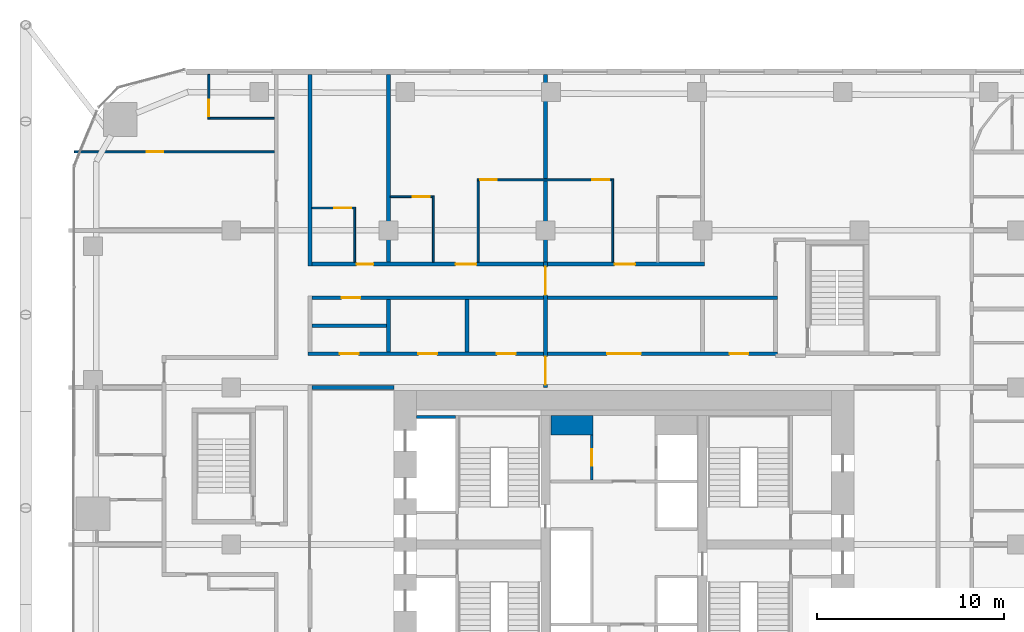
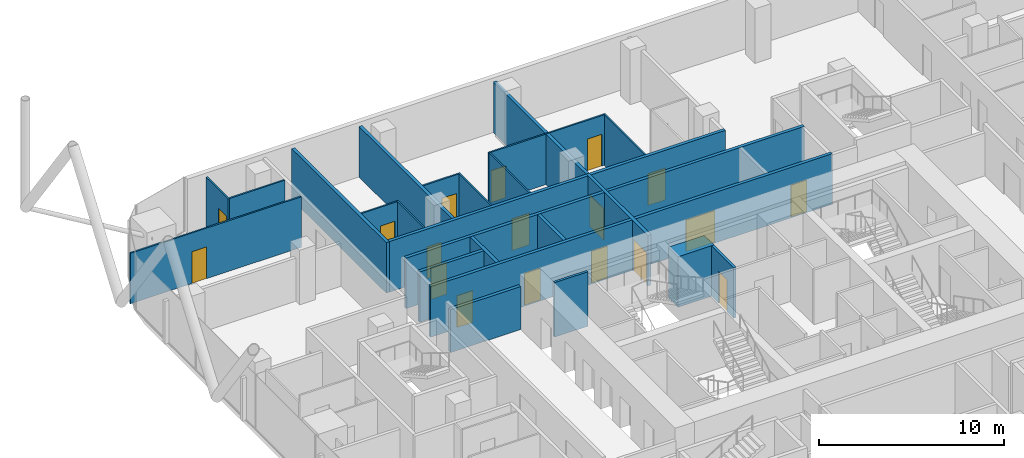
# One storey, part 29 of 34: 24 walls, 18 doors, 18 openings.
"""IFC4 building model written with IfcOpenShell, lengths in metres."""

from ifc_helpers import new_model, si_unit, direction, frame, frame_2d, origin, place, context, subcontext, project, spatial, rectangle, extrude, material, layer, layer_set, type_object, element, fill, save


model = new_model("IFC4")

# Units and contexts
model_context = context("Model", 3, precision=1e-05, world=origin(), true_north=direction((0.0, 1.0)))
body_context = subcontext(model_context, "Body", "Model", "MODEL_VIEW")
ifc_project = project(units=[si_unit("LENGTHUNIT", "METRE"), si_unit("AREAUNIT", "SQUARE_METRE"), si_unit("VOLUMEUNIT", "CUBIC_METRE"), si_unit("PLANEANGLEUNIT", "RADIAN"), si_unit("MASSUNIT", "GRAM", prefix="KILO")], contexts=[model_context])

# Site, building, storey
site_placement = place(None, origin())
site = spatial("IfcSite", under=ifc_project, at=site_placement, CompositionType="ELEMENT")
building_placement = place(site_placement, origin())
building = spatial("IfcBuilding", under=site, at=building_placement, Name="Marenta Gate Hotel Tower", CompositionType="ELEMENT")
storey_placement = place(building_placement, frame((0.0, 0.0, 47.300048828125)))
storey = spatial("IfcBuildingStorey", under=building, at=storey_placement, Name="L09", CompositionType="ELEMENT", Elevation=47.300048828125)

# Wall, openings, doors
ifc_material_1 = material(Name="Concrete blockwork", Category="masonry")
ifc_layer_1 = layer(ifc_material_1, 0.199951171875)
ifc_layer_set_1 = layer_set([ifc_layer_1], Name="Concrete blockwork")
wall_type_1 = type_object("IfcWallType", Name="Compartment wall 200 REI 180", PredefinedType="PARTITIONING", material=ifc_layer_set_1)
wall_1_placement = place(storey_placement, frame((-4.199951171875, 16.800048828125, 0.0), z_axis=(0.0, 0.0, 1.0), x_axis=(0.0, 1.0, 0.0)))
wall_1 = element("IfcWall", 1, at=wall_1_placement, inside=storey, type_object=wall_type_1, Name="L09-PTN-W069", PredefinedType="PARTITIONING", context=body_context, shape_type="SweptSolid", body=[
    extrude(rectangle(XDim=6.699951171875, YDim=0.199951171875, at=frame_2d((3.35009765625, 0.0))), origin(), (0.0, 0.0, 1.0), 3.33984375),
])
opening_1_placement = place(wall_1_placement, frame((0.14990234375, 0.0, 0.0)))
opening_1 = element("IfcOpeningElement", 2, at=opening_1_placement, cuts=wall_1, Name="Opening G03-FD1", PredefinedType="OPENING", context=body_context, shape_type="SweptSolid", body=[
    extrude(rectangle(XDim=1.5, YDim=2.10009765625, at=frame_2d((0.75, 1.050048828125))), frame((0.0, 0.10009765625, 0.0), z_axis=(0.0, -1.0, 0.0), x_axis=(1.0, 0.0, 0.0)), (0.0, 0.0, 1.0), 0.199951171875),
])
opening_2_placement = place(wall_1_placement, frame((4.949951171875, 0.0, 0.0)))
opening_2 = element("IfcOpeningElement", 3, at=opening_2_placement, cuts=wall_1, Name="Opening G03-FD2", PredefinedType="OPENING", context=body_context, shape_type="SweptSolid", body=[
    extrude(rectangle(XDim=1.5, YDim=2.10009765625, at=frame_2d((0.75, 1.050048828125))), frame((0.0, 0.10009765625, 0.0), z_axis=(0.0, -1.0, 0.0), x_axis=(1.0, 0.0, 0.0)), (0.0, 0.0, 1.0), 0.199951171875),
])
ifc_material_2 = material(Name="Hollow steel door set", Category="steel")
door_type_1 = type_object("IfcDoorType", Name="Compartment fire door 1500x2100 EI 60", OperationType="DOUBLE_DOOR_DOUBLE_SWING", PredefinedType="DOOR", material=ifc_material_2)
door_1_placement = place(opening_1_placement, origin())
door_1 = element("IfcDoor", 4, at=door_1_placement, inside=storey, type_object=door_type_1, Name="L09-PD-FD01", OperationType="DOUBLE_DOOR_DOUBLE_SWING", OverallHeight=2.10009765625, OverallWidth=1.5, PredefinedType="DOOR", context=body_context, shape_type="SweptSolid", body=[
    extrude(rectangle(XDim=1.5, YDim=2.10009765625, at=frame_2d((0.75, 1.050048828125))), frame((0.0, 0.02490234375, 0.0), z_axis=(0.0, -1.0, 0.0), x_axis=(1.0, 0.0, 0.0)), (0.0, 0.0, 1.0), 0.050048828125),
])
fill(opening_1, door_1)
door_2_placement = place(opening_2_placement, origin())
door_2 = element("IfcDoor", 5, at=door_2_placement, inside=storey, type_object=door_type_1, Name="L09-PD-FD02", OperationType="DOUBLE_DOOR_DOUBLE_SWING", OverallHeight=2.10009765625, OverallWidth=1.5, PredefinedType="DOOR", context=body_context, shape_type="SweptSolid", body=[
    extrude(rectangle(XDim=1.5, YDim=2.10009765625, at=frame_2d((0.75, 1.050048828125))), frame((0.0, 0.02490234375, 0.0), z_axis=(0.0, -1.0, 0.0), x_axis=(1.0, 0.0, 0.0)), (0.0, 0.0, 1.0), 0.050048828125),
])
fill(opening_2, door_2)

# Walls
wall_2_placement = place(storey_placement, frame((-4.199951171875, 23.5, 0.0), z_axis=(0.0, 0.0, 1.0), x_axis=(0.0, 1.0, 0.0)))
element("IfcWall", 6, at=wall_2_placement, inside=storey, type_object=wall_type_1, Name="L09-PTN-W070", PredefinedType="PARTITIONING", context=body_context, shape_type="SweptSolid", body=[
    extrude(rectangle(XDim=10.0400390625, YDim=0.199951171875, at=frame_2d((5.02001953125, 0.0))), origin(), (0.0, 0.0, 1.0), 3.33984375),
])
ifc_material_3 = material(Name="Concrete blockwork", Category="masonry")
ifc_layer_2 = layer(ifc_material_3, 0.199951171875)
ifc_layer_set_2 = layer_set([ifc_layer_2], Name="Concrete blockwork")
wall_type_2 = type_object("IfcWallType", Name="Core boundary wall 200 REI 180", PredefinedType="PARTITIONING", material=ifc_layer_set_2)
wall_3_placement = place(storey_placement, frame((-16.699951171875, 16.800048828125, 0.0), z_axis=(0.0, 0.0, 1.0), x_axis=(1.0, 0.0, 0.0)))
element("IfcWall", 7, at=wall_3_placement, inside=storey, type_object=wall_type_2, Name="L09-CP-EW-WN", PredefinedType="PARTITIONING", context=body_context, shape_type="SweptSolid", body=[
    extrude(rectangle(XDim=4.39990234375, YDim=0.199951171875, at=frame_2d((2.199951171875, 0.0))), origin(), (0.0, 0.0, 1.0), 2.83984375),
])
ifc_material_4 = material(Name="Concrete blockwork", Category="masonry")
ifc_layer_3 = layer(ifc_material_4, 1.050048828125)
ifc_layer_set_3 = layer_set([ifc_layer_3], Name="Concrete blockwork")
wall_type_3 = type_object("IfcWallType", Name="Core room partition 1050 REI 180", PredefinedType="PARTITIONING", material=ifc_layer_set_3)
wall_4_placement = place(storey_placement, frame((-3.89990234375, 14.77490234375, 0.0), z_axis=(0.0, 0.0, 1.0), x_axis=(1.0, 0.0, 0.0)))
element("IfcWall", 8, at=wall_4_placement, inside=storey, type_object=wall_type_3, Name="L09-CP-CW-W-riser-N", PredefinedType="PARTITIONING", context=body_context, shape_type="SweptSolid", body=[
    extrude(rectangle(XDim=2.25, YDim=1.050048828125, at=frame_2d((1.125, 0.0))), origin(), (0.0, 0.0, 1.0), 3.33984375),
])

# Wall, opening, door
ifc_material_5 = material(Name="Concrete blockwork", Category="masonry")
ifc_layer_4 = layer(ifc_material_5, 0.14990234375)
ifc_layer_set_4 = layer_set([ifc_layer_4], Name="Concrete blockwork")
wall_type_4 = type_object("IfcWallType", Name="Core room partition 150 REI 180", PredefinedType="PARTITIONING", material=ifc_layer_set_4)
wall_5_placement = place(storey_placement, frame((-1.72509765625, 11.85009765625, 0.0), z_axis=(0.0, 0.0, 1.0), x_axis=(0.0, 1.0, 0.0)))
wall_5 = element("IfcWall", 9, at=wall_5_placement, inside=storey, type_object=wall_type_4, Name="L09-CP-CW-W-riser-front", PredefinedType="PARTITIONING", context=body_context, shape_type="SweptSolid", body=[
    extrude(rectangle(XDim=2.39990234375, YDim=0.14990234375, at=frame_2d((1.199951171875, 0.0))), origin(), (0.0, 0.0, 1.0), 3.33984375),
])
opening_3_placement = place(wall_5_placement, frame((0.75, 0.0, 0.0)))
opening_3 = element("IfcOpeningElement", 10, at=opening_3_placement, cuts=wall_5, Name="Opening RD-CRISER", PredefinedType="OPENING", context=body_context, shape_type="SweptSolid", body=[
    extrude(rectangle(XDim=0.89990234375, YDim=2.10009765625, at=frame_2d((0.449951171875, 1.050048828125))), frame((0.0, 0.074951171875, 0.0), z_axis=(0.0, -1.0, 0.0), x_axis=(1.0, 0.0, 0.0)), (0.0, 0.0, 1.0), 0.14990234375),
])
ifc_material_6 = material(Name="Steel", Category="steel")
door_type_2 = type_object("IfcDoorType", Name="Core riser door 900x2100 FD60", OperationType="SINGLE_SWING_LEFT", PredefinedType="DOOR", material=ifc_material_6)
door_3_placement = place(opening_3_placement, origin())
door_3 = element("IfcDoor", 11, at=door_3_placement, inside=storey, type_object=door_type_2, Name="RD-CRISER", OperationType="SINGLE_SWING_LEFT", OverallHeight=2.10009765625, OverallWidth=0.89990234375, PredefinedType="DOOR", context=body_context, shape_type="SweptSolid", body=[
    extrude(rectangle(XDim=0.89990234375, YDim=2.10009765625, at=frame_2d((0.449951171875, 1.050048828125))), frame((0.0, 0.02490234375, 0.0), z_axis=(0.0, -1.0, 0.0), x_axis=(1.0, 0.0, 0.0)), (0.0, 0.0, 1.0), 0.050048828125),
])
fill(opening_3, door_3)

# Walls
ifc_material_7 = material(Name="Concrete C40", Category="concrete")
ifc_layer_5 = layer(ifc_material_7, 0.14990234375)
ifc_layer_set_5 = layer_set([ifc_layer_5], Name="Concrete C40")
wall_type_5 = type_object("IfcWallType", Name="Core shaft wall 150 REI 180", PredefinedType="SHEAR", material=ifc_layer_set_5)
wall_6_placement = place(storey_placement, frame((-11.10009765625, 15.22509765625, 0.0), z_axis=(0.0, 0.0, 1.0), x_axis=(1.0, 0.0, 0.0)))
element("IfcWall", 12, at=wall_6_placement, inside=storey, type_object=wall_type_5, Name="L09-SHF-SW-WN-5", PredefinedType="SHEAR", context=body_context, shape_type="SweptSolid", body=[
    extrude(rectangle(XDim=2.10009765625, YDim=0.14990234375, at=frame_2d((1.050048828125, 0.0))), origin(), (0.0, 0.0, 1.0), 3.599853515625),
])
ifc_material_8 = material(Name="Gypsum board on steel stud", Category="steel")
ifc_layer_6 = layer(ifc_material_8, 0.199951171875)
ifc_layer_set_6 = layer_set([ifc_layer_6], Name="Gypsum board on steel stud")
wall_type_6 = type_object("IfcWallType", Name="Room corridor wall 200 EI 60", PredefinedType="PARTITIONING", material=ifc_layer_set_6)
wall_7_placement = place(storey_placement, frame((-16.800048828125, 23.300048828125, 0.0), z_axis=(0.0, 0.0, 1.0), x_axis=(0.0, 1.0, 0.0)))
element("IfcWall", 13, at=wall_7_placement, inside=storey, type_object=wall_type_6, Name="L09-PTN-W102", PredefinedType="PARTITIONING", context=body_context, shape_type="SweptSolid", body=[
    extrude(rectangle(XDim=10.239990234375, YDim=0.199951171875, at=frame_2d((5.1201171875, 0.0))), origin(), (0.0, 0.0, 1.0), 3.33984375),
])

# Wall, openings, doors
wall_8_placement = place(storey_placement, frame((-16.89990234375, 18.60009765625, 0.0), z_axis=(0.0, 0.0, 1.0), x_axis=(1.0, 0.0, 0.0)))
wall_8 = element("IfcWall", 14, at=wall_8_placement, inside=storey, type_object=wall_type_6, Name="L09-PTN-W110", PredefinedType="PARTITIONING", context=body_context, shape_type="SweptSolid", body=[
    extrude(rectangle(XDim=25.099853515625, YDim=0.199951171875, at=frame_2d((12.5498046875, 0.0))), origin(), (0.0, 0.0, 1.0), 3.33984375),
])
opening_4_placement = place(wall_8_placement, frame((16.0, 0.0, 0.0)))
opening_4 = element("IfcOpeningElement", 15, at=opening_4_placement, cuts=wall_8, Name="Opening G03-01", PredefinedType="OPENING", context=body_context, shape_type="SweptSolid", body=[
    extrude(rectangle(XDim=1.800048828125, YDim=2.10009765625, at=frame_2d((0.89990234375, 1.050048828125))), frame((0.0, 0.10009765625, 0.0), z_axis=(0.0, -1.0, 0.0), x_axis=(1.0, 0.0, 0.0)), (0.0, 0.0, 1.0), 0.199951171875),
])
opening_5_placement = place(wall_8_placement, frame((22.550048828125, 0.0, 0.0)))
opening_5 = element("IfcOpeningElement", 16, at=opening_5_placement, cuts=wall_8, Name="Opening G03-02", PredefinedType="OPENING", context=body_context, shape_type="SweptSolid", body=[
    extrude(rectangle(XDim=1.0, YDim=2.10009765625, at=frame_2d((0.5, 1.050048828125))), frame((0.0, 0.10009765625, 0.0), z_axis=(0.0, -1.0, 0.0), x_axis=(1.0, 0.0, 0.0)), (0.0, 0.0, 1.0), 0.199951171875),
])
opening_6_placement = place(wall_8_placement, frame((5.89990234375, 0.0, 0.0)))
opening_6 = element("IfcOpeningElement", 17, at=opening_6_placement, cuts=wall_8, Name="Opening G03-64", PredefinedType="OPENING", context=body_context, shape_type="SweptSolid", body=[
    extrude(rectangle(XDim=1.0, YDim=2.10009765625, at=frame_2d((0.5, 1.050048828125))), frame((0.0, 0.10009765625, 0.0), z_axis=(0.0, -1.0, 0.0), x_axis=(1.0, 0.0, 0.0)), (0.0, 0.0, 1.0), 0.199951171875),
])
opening_7_placement = place(wall_8_placement, frame((10.10009765625, 0.0, 0.0)))
opening_7 = element("IfcOpeningElement", 18, at=opening_7_placement, cuts=wall_8, Name="Opening G03-65", PredefinedType="OPENING", context=body_context, shape_type="SweptSolid", body=[
    extrude(rectangle(XDim=1.0, YDim=2.10009765625, at=frame_2d((0.5, 1.050048828125))), frame((0.0, 0.10009765625, 0.0), z_axis=(0.0, -1.0, 0.0), x_axis=(1.0, 0.0, 0.0)), (0.0, 0.0, 1.0), 0.199951171875),
])
opening_8_placement = place(wall_8_placement, frame((1.699951171875, 0.0, 0.0)))
opening_8 = element("IfcOpeningElement", 19, at=opening_8_placement, cuts=wall_8, Name="Opening G03-68", PredefinedType="OPENING", context=body_context, shape_type="SweptSolid", body=[
    extrude(rectangle(XDim=1.0, YDim=2.10009765625, at=frame_2d((0.5, 1.050048828125))), frame((0.0, 0.10009765625, 0.0), z_axis=(0.0, -1.0, 0.0), x_axis=(1.0, 0.0, 0.0)), (0.0, 0.0, 1.0), 0.199951171875),
])
ifc_material_9 = material(Name="Timber door leaf", Category="wood")
door_type_3 = type_object("IfcDoorType", Name="Room amenity door 1000x2100 EI 30", OperationType="NOTDEFINED", PredefinedType="DOOR", material=ifc_material_9)
door_4_placement = place(opening_5_placement, origin())
door_4 = element("IfcDoor", 20, at=door_4_placement, inside=storey, type_object=door_type_3, Name="L09-PD-D002", OperationType="SINGLE_SWING_RIGHT", OverallHeight=2.10009765625, OverallWidth=1.0, PredefinedType="DOOR", context=body_context, shape_type="SweptSolid", body=[
    extrude(rectangle(XDim=1.0, YDim=2.10009765625, at=frame_2d((0.5, 1.050048828125))), frame((0.0, 0.02490234375, 0.0), z_axis=(0.0, -1.0, 0.0), x_axis=(1.0, 0.0, 0.0)), (0.0, 0.0, 1.0), 0.050048828125),
])
fill(opening_5, door_4)
door_5_placement = place(opening_6_placement, origin())
door_5 = element("IfcDoor", 21, at=door_5_placement, inside=storey, type_object=door_type_3, Name="L09-PD-D064", OperationType="SINGLE_SWING_RIGHT", OverallHeight=2.10009765625, OverallWidth=1.0, PredefinedType="DOOR", context=body_context, shape_type="SweptSolid", body=[
    extrude(rectangle(XDim=1.0, YDim=2.10009765625, at=frame_2d((0.5, 1.050048828125))), frame((0.0, 0.02490234375, 0.0), z_axis=(0.0, -1.0, 0.0), x_axis=(1.0, 0.0, 0.0)), (0.0, 0.0, 1.0), 0.050048828125),
])
fill(opening_6, door_5)
door_6_placement = place(opening_7_placement, origin())
door_6 = element("IfcDoor", 22, at=door_6_placement, inside=storey, type_object=door_type_3, Name="L09-PD-D065", OperationType="SINGLE_SWING_LEFT", OverallHeight=2.10009765625, OverallWidth=1.0, PredefinedType="DOOR", context=body_context, shape_type="SweptSolid", body=[
    extrude(rectangle(XDim=1.0, YDim=2.10009765625, at=frame_2d((0.5, 1.050048828125))), frame((0.0, 0.02490234375, 0.0), z_axis=(0.0, -1.0, 0.0), x_axis=(1.0, 0.0, 0.0)), (0.0, 0.0, 1.0), 0.050048828125),
])
fill(opening_7, door_6)
door_7_placement = place(opening_8_placement, origin())
door_7 = element("IfcDoor", 23, at=door_7_placement, inside=storey, type_object=door_type_3, Name="L09-PD-D068", OperationType="SINGLE_SWING_RIGHT", OverallHeight=2.10009765625, OverallWidth=1.0, PredefinedType="DOOR", context=body_context, shape_type="SweptSolid", body=[
    extrude(rectangle(XDim=1.0, YDim=2.10009765625, at=frame_2d((0.5, 1.050048828125))), frame((0.0, 0.02490234375, 0.0), z_axis=(0.0, -1.0, 0.0), x_axis=(1.0, 0.0, 0.0)), (0.0, 0.0, 1.0), 0.050048828125),
])
fill(opening_8, door_7)
ifc_material_10 = material(Name="Timber door leaf", Category="wood")
door_type_4 = type_object("IfcDoorType", Name="Room amenity door 1800x2100 EI 30", OperationType="DOUBLE_DOOR_SINGLE_SWING", PredefinedType="DOOR", material=ifc_material_10)
door_8_placement = place(opening_4_placement, origin())
door_8 = element("IfcDoor", 24, at=door_8_placement, inside=storey, type_object=door_type_4, Name="L09-PD-D001", OperationType="DOUBLE_DOOR_SINGLE_SWING", OverallHeight=2.10009765625, OverallWidth=1.800048828125, PredefinedType="DOOR", context=body_context, shape_type="SweptSolid", body=[
    extrude(rectangle(XDim=1.800048828125, YDim=2.10009765625, at=frame_2d((0.89990234375, 1.050048828125))), frame((0.0, 0.02490234375, 0.0), z_axis=(0.0, -1.0, 0.0), x_axis=(1.0, 0.0, 0.0)), (0.0, 0.0, 1.0), 0.050048828125),
])
fill(opening_4, door_8)

# Wall, opening, door
wall_9_placement = place(storey_placement, frame((-16.699951171875, 21.60009765625, 0.0), z_axis=(0.0, 0.0, 1.0), x_axis=(1.0, 0.0, 0.0)))
wall_9 = element("IfcWall", 25, at=wall_9_placement, inside=storey, type_object=wall_type_6, Name="L09-PTN-W115", PredefinedType="PARTITIONING", context=body_context, shape_type="SweptSolid", body=[
    extrude(rectangle(XDim=24.89990234375, YDim=0.199951171875, at=frame_2d((12.449951171875, 0.0))), origin(), (0.0, 0.0, 1.0), 3.33984375),
])
opening_9_placement = place(wall_9_placement, frame((1.60009765625, 0.0, 0.0)))
opening_9 = element("IfcOpeningElement", 26, at=opening_9_placement, cuts=wall_9, Name="Opening G03-69", PredefinedType="OPENING", context=body_context, shape_type="SweptSolid", body=[
    extrude(rectangle(XDim=1.0, YDim=2.10009765625, at=frame_2d((0.5, 1.050048828125))), frame((0.0, 0.10009765625, 0.0), z_axis=(0.0, -1.0, 0.0), x_axis=(1.0, 0.0, 0.0)), (0.0, 0.0, 1.0), 0.199951171875),
])
door_9_placement = place(opening_9_placement, origin())
door_9 = element("IfcDoor", 27, at=door_9_placement, inside=storey, type_object=door_type_3, Name="L09-PD-D069", OperationType="SINGLE_SWING_RIGHT", OverallHeight=2.10009765625, OverallWidth=1.0, PredefinedType="DOOR", context=body_context, shape_type="SweptSolid", body=[
    extrude(rectangle(XDim=1.0, YDim=2.10009765625, at=frame_2d((0.5, 1.050048828125))), frame((0.0, 0.02490234375, 0.0), z_axis=(0.0, -1.0, 0.0), x_axis=(1.0, 0.0, 0.0)), (0.0, 0.0, 1.0), 0.050048828125),
])
fill(opening_9, door_9)

# Wall, openings, doors
wall_10_placement = place(storey_placement, frame((-16.699951171875, 23.39990234375, 0.0), z_axis=(0.0, 0.0, 1.0), x_axis=(1.0, 0.0, 0.0)))
wall_10 = element("IfcWall", 28, at=wall_10_placement, inside=storey, type_object=wall_type_6, Name="L09-PTN-W122", PredefinedType="PARTITIONING", context=body_context, shape_type="SweptSolid", body=[
    extrude(rectangle(XDim=21.0, YDim=0.199951171875, at=frame_2d((10.5, 0.0))), origin(), (0.0, 0.0, 1.0), 3.33984375),
])
opening_10_placement = place(wall_10_placement, frame((2.39990234375, 0.0, 0.0)))
opening_10 = element("IfcOpeningElement", 29, at=opening_10_placement, cuts=wall_10, Name="Opening G03-28", PredefinedType="OPENING", context=body_context, shape_type="SweptSolid", body=[
    extrude(rectangle(XDim=0.89990234375, YDim=2.10009765625, at=frame_2d((0.449951171875, 1.050048828125))), frame((0.0, 0.10009765625, 0.0), z_axis=(0.0, -1.0, 0.0), x_axis=(1.0, 0.0, 0.0)), (0.0, 0.0, 1.0), 0.199951171875),
])
opening_11_placement = place(wall_10_placement, frame((7.699951171875, 0.0, 0.0)))
opening_11 = element("IfcOpeningElement", 30, at=opening_11_placement, cuts=wall_10, Name="Opening G03-30", PredefinedType="OPENING", context=body_context, shape_type="SweptSolid", body=[
    extrude(rectangle(XDim=1.10009765625, YDim=2.10009765625, at=frame_2d((0.550048828125, 1.050048828125))), frame((0.0, 0.10009765625, 0.0), z_axis=(0.0, -1.0, 0.0), x_axis=(1.0, 0.0, 0.0)), (0.0, 0.0, 1.0), 0.199951171875),
])
opening_12_placement = place(wall_10_placement, frame((16.199951171875, 0.0, 0.0)))
opening_12 = element("IfcOpeningElement", 31, at=opening_12_placement, cuts=wall_10, Name="Opening G03-33", PredefinedType="OPENING", context=body_context, shape_type="SweptSolid", body=[
    extrude(rectangle(XDim=1.10009765625, YDim=2.10009765625, at=frame_2d((0.550048828125, 1.050048828125))), frame((0.0, 0.10009765625, 0.0), z_axis=(0.0, -1.0, 0.0), x_axis=(1.0, 0.0, 0.0)), (0.0, 0.0, 1.0), 0.199951171875),
])
ifc_material_11 = material(Name="Timber door leaf", Category="wood")
door_type_5 = type_object("IfcDoorType", Name="Guest room door 1100x2100 EI 30", OperationType="NOTDEFINED", PredefinedType="DOOR", material=ifc_material_11)
door_10_placement = place(opening_11_placement, origin())
door_10 = element("IfcDoor", 32, at=door_10_placement, inside=storey, type_object=door_type_5, Name="L09-PD-D030", OperationType="SINGLE_SWING_RIGHT", OverallHeight=2.10009765625, OverallWidth=1.10009765625, PredefinedType="DOOR", context=body_context, shape_type="SweptSolid", body=[
    extrude(rectangle(XDim=1.10009765625, YDim=2.10009765625, at=frame_2d((0.550048828125, 1.050048828125))), frame((0.0, 0.02490234375, 0.0), z_axis=(0.0, -1.0, 0.0), x_axis=(1.0, 0.0, 0.0)), (0.0, 0.0, 1.0), 0.050048828125),
])
fill(opening_11, door_10)
door_11_placement = place(opening_12_placement, origin())
door_11 = element("IfcDoor", 33, at=door_11_placement, inside=storey, type_object=door_type_5, Name="L09-PD-D033", OperationType="SINGLE_SWING_LEFT", OverallHeight=2.10009765625, OverallWidth=1.10009765625, PredefinedType="DOOR", context=body_context, shape_type="SweptSolid", body=[
    extrude(rectangle(XDim=1.10009765625, YDim=2.10009765625, at=frame_2d((0.550048828125, 1.050048828125))), frame((0.0, 0.02490234375, 0.0), z_axis=(0.0, -1.0, 0.0), x_axis=(1.0, 0.0, 0.0)), (0.0, 0.0, 1.0), 0.050048828125),
])
fill(opening_12, door_11)
ifc_material_12 = material(Name="Timber door leaf", Category="wood")
door_type_6 = type_object("IfcDoorType", Name="Guest room door 900x2100 EI 30", OperationType="NOTDEFINED", PredefinedType="DOOR", material=ifc_material_12)
door_12_placement = place(opening_10_placement, origin())
door_12 = element("IfcDoor", 34, at=door_12_placement, inside=storey, type_object=door_type_6, Name="L09-PD-D028", OperationType="SINGLE_SWING_LEFT", OverallHeight=2.10009765625, OverallWidth=0.89990234375, PredefinedType="DOOR", context=body_context, shape_type="SweptSolid", body=[
    extrude(rectangle(XDim=0.89990234375, YDim=2.10009765625, at=frame_2d((0.449951171875, 1.050048828125))), frame((0.0, 0.02490234375, 0.0), z_axis=(0.0, -1.0, 0.0), x_axis=(1.0, 0.0, 0.0)), (0.0, 0.0, 1.0), 0.050048828125),
])
fill(opening_10, door_12)

# Walls
ifc_material_13 = material(Name="Gypsum board on steel stud", Category="steel")
ifc_layer_7 = layer(ifc_material_13, 0.10009765625)
ifc_layer_set_7 = layer_set([ifc_layer_7], Name="Gypsum board on steel stud")
wall_type_7 = type_object("IfcWallType", Name="Room partition 100", PredefinedType="PARTITIONING", material=ifc_layer_set_7)
wall_11_placement = place(storey_placement, frame((-0.60009765625, 23.5, 0.0), z_axis=(0.0, 0.0, 1.0), x_axis=(0.0, 1.0, 0.0)))
element("IfcWall", 35, at=wall_11_placement, inside=storey, type_object=wall_type_7, Name="L09-PTN-W063", PredefinedType="PARTITIONING", context=body_context, shape_type="SweptSolid", body=[
    extrude(rectangle(XDim=4.449951171875, YDim=0.10009765625, at=frame_2d((2.22509765625, 0.0))), origin(), (0.0, 0.0, 1.0), 3.33984375),
])
wall_12_placement = place(storey_placement, frame((-7.800048828125, 23.5, 0.0), z_axis=(0.0, 0.0, 1.0), x_axis=(0.0, 1.0, 0.0)))
element("IfcWall", 36, at=wall_12_placement, inside=storey, type_object=wall_type_7, Name="L09-PTN-W077", PredefinedType="PARTITIONING", context=body_context, shape_type="SweptSolid", body=[
    extrude(rectangle(XDim=4.35009765625, YDim=0.10009765625, at=frame_2d((2.175048828125, 0.0))), origin(), (0.0, 0.0, 1.0), 3.33984375),
])
wall_13_placement = place(storey_placement, frame((-10.199951171875, 23.5, 0.0), z_axis=(0.0, 0.0, 1.0), x_axis=(0.0, 1.0, 0.0)))
element("IfcWall", 37, at=wall_13_placement, inside=storey, type_object=wall_type_7, Name="L09-PTN-W083", PredefinedType="PARTITIONING", context=body_context, shape_type="SweptSolid", body=[
    extrude(rectangle(XDim=3.550048828125, YDim=0.10009765625, at=frame_2d((1.77490234375, 0.0))), origin(), (0.0, 0.0, 1.0), 3.33984375),
])
wall_14_placement = place(storey_placement, frame((-14.39990234375, 23.5, 0.0), z_axis=(0.0, 0.0, 1.0), x_axis=(0.0, 1.0, 0.0)))
element("IfcWall", 38, at=wall_14_placement, inside=storey, type_object=wall_type_7, Name="L09-PTN-W094", PredefinedType="PARTITIONING", context=body_context, shape_type="SweptSolid", body=[
    extrude(rectangle(XDim=2.949951171875, YDim=0.10009765625, at=frame_2d((1.47509765625, 0.0))), origin(), (0.0, 0.0, 1.0), 3.33984375),
])

# Wall, opening, door
wall_15_placement = place(storey_placement, frame((-22.199951171875, 31.14990234375, 0.0), z_axis=(0.0, 0.0, 1.0), x_axis=(0.0, 1.0, 0.0)))
wall_15 = element("IfcWall", 39, at=wall_15_placement, inside=storey, type_object=wall_type_7, Name="L09-PTN-W119", PredefinedType="PARTITIONING", context=body_context, shape_type="SweptSolid", body=[
    extrude(rectangle(XDim=2.39013671875, YDim=0.10009765625, at=frame_2d((1.195068359375, 0.0))), origin(), (0.0, 0.0, 1.0), 3.33984375),
])
opening_13_placement = place(wall_15_placement, frame((0.14990234375, 0.0, 0.0)))
opening_13 = element("IfcOpeningElement", 40, at=opening_13_placement, cuts=wall_15, Name="Opening G03-57", PredefinedType="OPENING", context=body_context, shape_type="SweptSolid", body=[
    extrude(rectangle(XDim=0.89990234375, YDim=2.10009765625, at=frame_2d((0.449951171875, 1.050048828125))), frame((0.0, 0.050048828125, 0.0), z_axis=(0.0, -1.0, 0.0), x_axis=(1.0, 0.0, 0.0)), (0.0, 0.0, 1.0), 0.10009765625),
])
ifc_material_14 = material(Name="Timber door leaf", Category="wood")
door_type_7 = type_object("IfcDoorType", Name="Guest bathroom door 900x2100", OperationType="NOTDEFINED", PredefinedType="DOOR", material=ifc_material_14)
door_13_placement = place(opening_13_placement, origin())
door_13 = element("IfcDoor", 41, at=door_13_placement, inside=storey, type_object=door_type_7, Name="L09-PD-D057", OperationType="SINGLE_SWING_RIGHT", OverallHeight=2.10009765625, OverallWidth=0.89990234375, PredefinedType="DOOR", context=body_context, shape_type="SweptSolid", body=[
    extrude(rectangle(XDim=0.89990234375, YDim=2.10009765625, at=frame_2d((0.449951171875, 1.050048828125))), frame((0.0, 0.02490234375, 0.0), z_axis=(0.0, -1.0, 0.0), x_axis=(1.0, 0.0, 0.0)), (0.0, 0.0, 1.0), 0.050048828125),
])
fill(opening_13, door_13)

wall_16_placement = place(storey_placement, frame((-16.699951171875, 26.39990234375, 0.0), z_axis=(0.0, 0.0, 1.0), x_axis=(1.0, 0.0, 0.0)))
wall_16 = element("IfcWall", 42, at=wall_16_placement, inside=storey, type_object=wall_type_7, Name="L09-PTN-W127", PredefinedType="PARTITIONING", context=body_context, shape_type="SweptSolid", body=[
    extrude(rectangle(XDim=2.25, YDim=0.10009765625, at=frame_2d((1.125, 0.0))), origin(), (0.0, 0.0, 1.0), 3.33984375),
])
opening_14_placement = place(wall_16_placement, frame((1.199951171875, 0.0, 0.0)))
opening_14 = element("IfcOpeningElement", 43, at=opening_14_placement, cuts=wall_16, Name="Opening G03-29", PredefinedType="OPENING", context=body_context, shape_type="SweptSolid", body=[
    extrude(rectangle(XDim=0.89990234375, YDim=2.10009765625, at=frame_2d((0.449951171875, 1.050048828125))), frame((0.0, 0.050048828125, 0.0), z_axis=(0.0, -1.0, 0.0), x_axis=(1.0, 0.0, 0.0)), (0.0, 0.0, 1.0), 0.10009765625),
])
door_14_placement = place(opening_14_placement, origin())
door_14 = element("IfcDoor", 44, at=door_14_placement, inside=storey, type_object=door_type_7, Name="L09-PD-D029", OperationType="SINGLE_SWING_LEFT", OverallHeight=2.10009765625, OverallWidth=0.89990234375, PredefinedType="DOOR", context=body_context, shape_type="SweptSolid", body=[
    extrude(rectangle(XDim=0.89990234375, YDim=2.10009765625, at=frame_2d((0.449951171875, 1.050048828125))), frame((0.0, 0.02490234375, 0.0), z_axis=(0.0, -1.0, 0.0), x_axis=(1.0, 0.0, 0.0)), (0.0, 0.0, 1.0), 0.050048828125),
])
fill(opening_14, door_14)

wall_17_placement = place(storey_placement, frame((-12.5, 27.0, 0.0), z_axis=(0.0, 0.0, 1.0), x_axis=(1.0, 0.0, 0.0)))
wall_17 = element("IfcWall", 45, at=wall_17_placement, inside=storey, type_object=wall_type_7, Name="L09-PTN-W128", PredefinedType="PARTITIONING", context=body_context, shape_type="SweptSolid", body=[
    extrude(rectangle(XDim=2.25, YDim=0.10009765625, at=frame_2d((1.125, 0.0))), origin(), (0.0, 0.0, 1.0), 3.33984375),
])
opening_15_placement = place(wall_17_placement, frame((1.199951171875, 0.0, 0.0)))
opening_15 = element("IfcOpeningElement", 46, at=opening_15_placement, cuts=wall_17, Name="Opening G03-32", PredefinedType="OPENING", context=body_context, shape_type="SweptSolid", body=[
    extrude(rectangle(XDim=0.89990234375, YDim=2.10009765625, at=frame_2d((0.449951171875, 1.050048828125))), frame((0.0, 0.050048828125, 0.0), z_axis=(0.0, -1.0, 0.0), x_axis=(1.0, 0.0, 0.0)), (0.0, 0.0, 1.0), 0.10009765625),
])
ifc_material_15 = material(Name="Timber door leaf", Category="wood")
door_type_8 = type_object("IfcDoorType", Name="Room inner door 900x2100", OperationType="NOTDEFINED", PredefinedType="DOOR", material=ifc_material_15)
door_15_placement = place(opening_15_placement, origin())
door_15 = element("IfcDoor", 47, at=door_15_placement, inside=storey, type_object=door_type_8, Name="L09-PD-D032", OperationType="SINGLE_SWING_LEFT", OverallHeight=2.10009765625, OverallWidth=0.89990234375, PredefinedType="DOOR", context=body_context, shape_type="SweptSolid", body=[
    extrude(rectangle(XDim=0.89990234375, YDim=2.10009765625, at=frame_2d((0.449951171875, 1.050048828125))), frame((0.0, 0.02490234375, 0.0), z_axis=(0.0, -1.0, 0.0), x_axis=(1.0, 0.0, 0.0)), (0.0, 0.0, 1.0), 0.050048828125),
])
fill(opening_15, door_15)

# Wall, openings, doors
wall_18_placement = place(storey_placement, frame((-7.85009765625, 27.89990234375, 0.0), z_axis=(0.0, 0.0, 1.0), x_axis=(1.0, 0.0, 0.0)))
wall_18 = element("IfcWall", 48, at=wall_18_placement, inside=storey, type_object=wall_type_7, Name="L09-PTN-W131", PredefinedType="PARTITIONING", context=body_context, shape_type="SweptSolid", body=[
    extrude(rectangle(XDim=7.2001953125, YDim=0.10009765625, at=frame_2d((3.60009765625, 0.0))), origin(), (0.0, 0.0, 1.0), 3.33984375),
])
opening_16_placement = place(wall_18_placement, frame((0.14990234375, 0.0, 0.0)))
opening_16 = element("IfcOpeningElement", 49, at=opening_16_placement, cuts=wall_18, Name="Opening G03-31", PredefinedType="OPENING", context=body_context, shape_type="SweptSolid", body=[
    extrude(rectangle(XDim=0.89990234375, YDim=2.10009765625, at=frame_2d((0.449951171875, 1.050048828125))), frame((0.0, 0.050048828125, 0.0), z_axis=(0.0, -1.0, 0.0), x_axis=(1.0, 0.0, 0.0)), (0.0, 0.0, 1.0), 0.10009765625),
])
opening_17_placement = place(wall_18_placement, frame((6.14990234375, 0.0, 0.0)))
opening_17 = element("IfcOpeningElement", 50, at=opening_17_placement, cuts=wall_18, Name="Opening G03-34", PredefinedType="OPENING", context=body_context, shape_type="SweptSolid", body=[
    extrude(rectangle(XDim=0.89990234375, YDim=2.10009765625, at=frame_2d((0.449951171875, 1.050048828125))), frame((0.0, 0.050048828125, 0.0), z_axis=(0.0, -1.0, 0.0), x_axis=(1.0, 0.0, 0.0)), (0.0, 0.0, 1.0), 0.10009765625),
])
door_16_placement = place(opening_16_placement, origin())
door_16 = element("IfcDoor", 51, at=door_16_placement, inside=storey, type_object=door_type_7, Name="L09-PD-D031", OperationType="SINGLE_SWING_RIGHT", OverallHeight=2.10009765625, OverallWidth=0.89990234375, PredefinedType="DOOR", context=body_context, shape_type="SweptSolid", body=[
    extrude(rectangle(XDim=0.89990234375, YDim=2.10009765625, at=frame_2d((0.449951171875, 1.050048828125))), frame((0.0, 0.02490234375, 0.0), z_axis=(0.0, -1.0, 0.0), x_axis=(1.0, 0.0, 0.0)), (0.0, 0.0, 1.0), 0.050048828125),
])
fill(opening_16, door_16)
door_17_placement = place(opening_17_placement, origin())
door_17 = element("IfcDoor", 52, at=door_17_placement, inside=storey, type_object=door_type_7, Name="L09-PD-D034", OperationType="SINGLE_SWING_LEFT", OverallHeight=2.10009765625, OverallWidth=0.89990234375, PredefinedType="DOOR", context=body_context, shape_type="SweptSolid", body=[
    extrude(rectangle(XDim=0.89990234375, YDim=2.10009765625, at=frame_2d((0.449951171875, 1.050048828125))), frame((0.0, 0.02490234375, 0.0), z_axis=(0.0, -1.0, 0.0), x_axis=(1.0, 0.0, 0.0)), (0.0, 0.0, 1.0), 0.050048828125),
])
fill(opening_17, door_17)

# Wall, opening, door
wall_19_placement = place(storey_placement, frame((-29.39306640625, 29.39990234375, 0.0), z_axis=(0.0, 0.0, 1.0), x_axis=(1.0, 0.0, 0.0)))
wall_19 = element("IfcWall", 53, at=wall_19_placement, inside=storey, type_object=wall_type_7, Name="L09-PTN-W134", PredefinedType="PARTITIONING", context=body_context, shape_type="SweptSolid", body=[
    extrude(rectangle(XDim=10.693115234375, YDim=0.10009765625, at=frame_2d((5.3466796875, 0.0))), origin(), (0.0, 0.0, 1.0), 3.33984375),
])
opening_18_placement = place(wall_19_placement, frame((3.863037109375, 0.0, 0.0)))
opening_18 = element("IfcOpeningElement", 54, at=opening_18_placement, cuts=wall_19, Name="Opening G03-56", PredefinedType="OPENING", context=body_context, shape_type="SweptSolid", body=[
    extrude(rectangle(XDim=0.89990234375, YDim=2.10009765625, at=frame_2d((0.449951171875, 1.050048828125))), frame((0.0, 0.050048828125, 0.0), z_axis=(0.0, -1.0, 0.0), x_axis=(1.0, 0.0, 0.0)), (0.0, 0.0, 1.0), 0.10009765625),
])
door_18_placement = place(opening_18_placement, origin())
door_18 = element("IfcDoor", 55, at=door_18_placement, inside=storey, type_object=door_type_8, Name="L09-PD-D056", OperationType="SINGLE_SWING_LEFT", OverallHeight=2.10009765625, OverallWidth=0.89990234375, PredefinedType="DOOR", context=body_context, shape_type="SweptSolid", body=[
    extrude(rectangle(XDim=0.89990234375, YDim=2.10009765625, at=frame_2d((0.449951171875, 1.050048828125))), frame((0.0, 0.02490234375, 0.0), z_axis=(0.0, -1.0, 0.0), x_axis=(1.0, 0.0, 0.0)), (0.0, 0.0, 1.0), 0.050048828125),
])
fill(opening_18, door_18)

# Walls
wall_20_placement = place(storey_placement, frame((-22.14990234375, 31.199951171875, 0.0), z_axis=(0.0, 0.0, 1.0), x_axis=(1.0, 0.0, 0.0)))
element("IfcWall", 56, at=wall_20_placement, inside=storey, type_object=wall_type_7, Name="L09-PTN-W136", PredefinedType="PARTITIONING", context=body_context, shape_type="SweptSolid", body=[
    extrude(rectangle(XDim=3.449951171875, YDim=0.10009765625, at=frame_2d((1.72509765625, 0.0))), origin(), (0.0, 0.0, 1.0), 3.33984375),
])
ifc_material_16 = material(Name="Gypsum board on steel stud", Category="steel")
ifc_layer_8 = layer(ifc_material_16, 0.199951171875)
ifc_layer_set_8 = layer_set([ifc_layer_8], Name="Gypsum board on steel stud")
wall_type_8 = type_object("IfcWallType", Name="Room party wall 200 EI 60", PredefinedType="PARTITIONING", material=ifc_layer_set_8)
for number, where, z_axis, x_axis, name in (
    (57, (-8.39990234375, 18.699951171875, 0.0), (0.0, 0.0, 1.0), (0.0, 1.0, 0.0), "L09-PTN-W078"),
    (58, (-12.60009765625, 18.699951171875, 0.0), (0.0, 0.0, 1.0), (0.0, 1.0, 0.0), "L09-PTN-W088"),
):
    element("IfcWall", number, at=place(storey_placement, frame(where, z_axis=z_axis, x_axis=x_axis)), inside=storey, type_object=wall_type_8, Name=name, PredefinedType="PARTITIONING", context=body_context, shape_type="SweptSolid", body=[
        extrude(rectangle(XDim=2.800048828125, YDim=0.199951171875, at=frame_2d((1.39990234375, 0.0))), origin(), (0.0, 0.0, 1.0), 3.33984375),
    ])
wall_21_placement = place(storey_placement, frame((-12.60009765625, 23.5, 0.0), z_axis=(0.0, 0.0, 1.0), x_axis=(0.0, 1.0, 0.0)))
element("IfcWall", 59, at=wall_21_placement, inside=storey, type_object=wall_type_8, Name="L09-PTN-W089", PredefinedType="PARTITIONING", context=body_context, shape_type="SweptSolid", body=[
    extrude(rectangle(XDim=10.0400390625, YDim=0.199951171875, at=frame_2d((5.02001953125, 0.0))), origin(), (0.0, 0.0, 1.0), 3.33984375),
])
wall_22_placement = place(storey_placement, frame((-16.699951171875, 20.10009765625, 0.0), z_axis=(0.0, 0.0, 1.0), x_axis=(1.0, 0.0, 0.0)))
element("IfcWall", 60, at=wall_22_placement, inside=storey, type_object=wall_type_8, Name="L09-PTN-W113", PredefinedType="PARTITIONING", context=body_context, shape_type="SweptSolid", body=[
    extrude(rectangle(XDim=4.0, YDim=0.199951171875, at=frame_2d((2.0, 0.0))), origin(), (0.0, 0.0, 1.0), 3.33984375),
])

save(model, "model.ifc")
